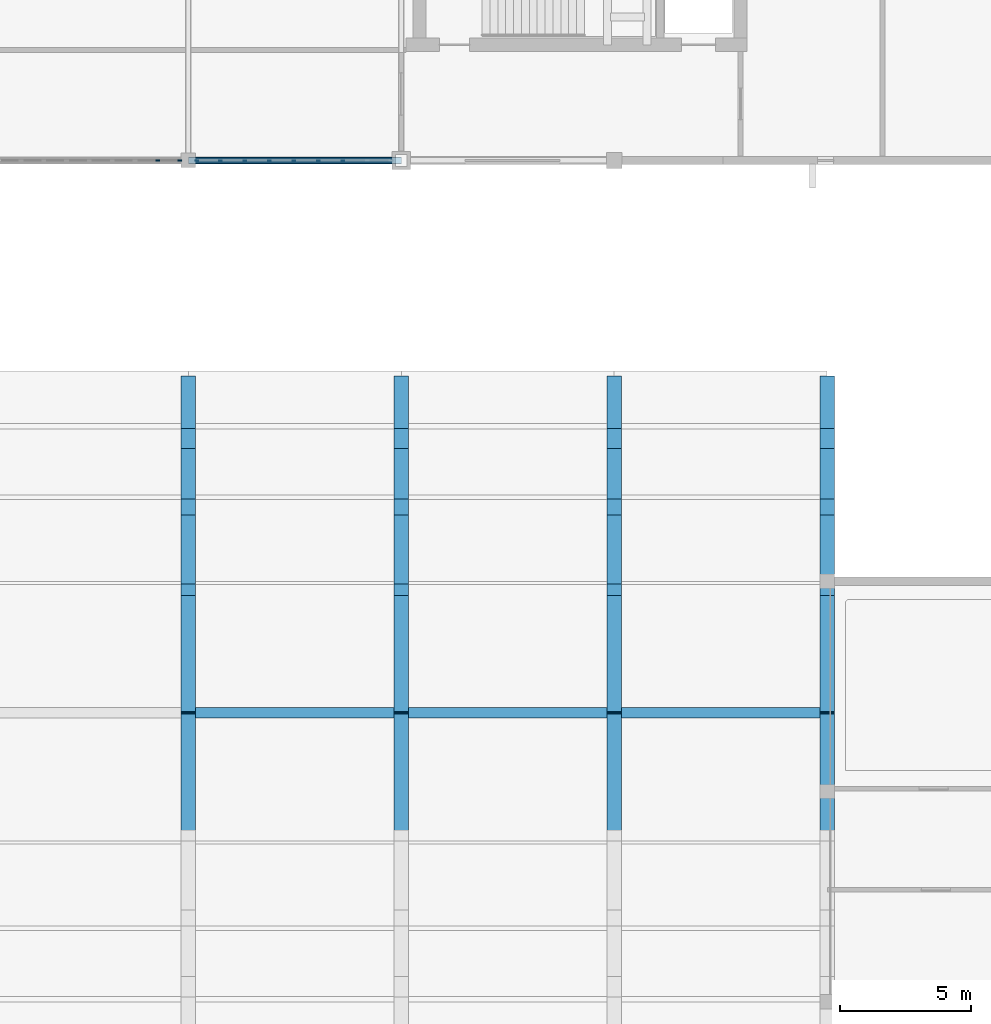
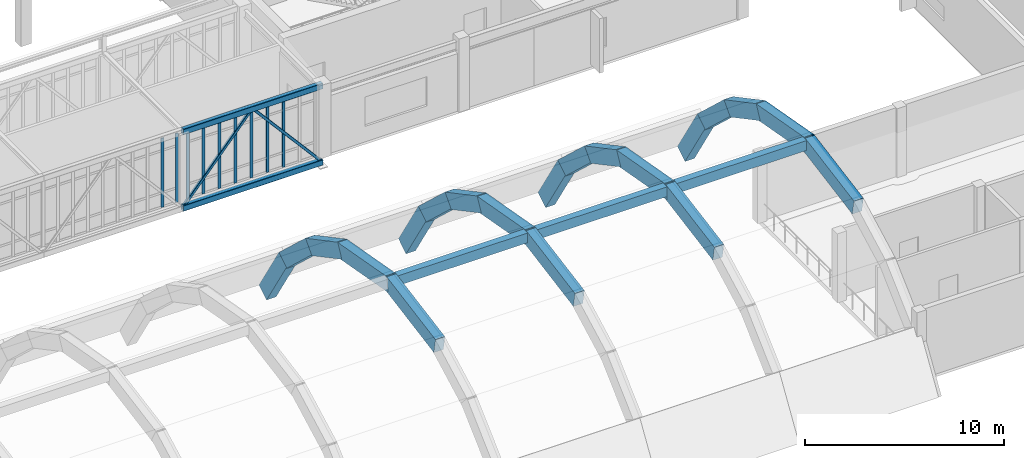
# One storey, part 8 of 67: 23 beams, 13 members, 2 elements without a shape of their own.
"""IFC4 building model written with IfcOpenShell, lengths in metres."""

import ifcopenshell
import ifcopenshell.guid

model = None  # the IFC model being written
_history = None  # IfcOwnerHistory: only IFC2X3 demands one
_inside = {}  # id of a spatial element -> (the spatial element, [elements in it])
_under = {}  # id of a project, library or spatial element -> (it, [spatial elements below it])
_declared = {}  # id of a project -> (the project, [libraries it declares])
_typed = {}  # id of a type object -> (the type object, [elements of that type])
_made_of = {}  # id of a material, layer set ... -> (it, [elements and type objects made of it])


def new_model(schema):
    """Start an empty IFC model of exactly this schema.

    Asked for "IFC4X3", IfcOpenShell would pick the latest addendum, in which some entities
    have other attributes; the version numbers below select the first issue.
    IFC2X3 requires an IfcOwnerHistory on every rooted entity: one is made here for all.
    """
    global model, _history
    if schema == "IFC4X3":
        model = ifcopenshell.file(schema_version=(4, 3, 0, 0))
    else:
        model = ifcopenshell.file(schema=schema)
    _inside.clear()
    _under.clear()
    _declared.clear()
    _typed.clear()
    _made_of.clear()
    _history = None
    if model.schema == "IFC2X3":
        org = make("IfcOrganization", Name="unknown")
        user = make(
            "IfcPersonAndOrganization",
            ThePerson=make("IfcPerson", FamilyName="unknown"),
            TheOrganization=org,
        )
        app = make(
            "IfcApplication",
            ApplicationDeveloper=org,
            Version="unknown",
            ApplicationFullName="unknown",
            ApplicationIdentifier="unknown",
        )
        _history = make(
            "IfcOwnerHistory",
            OwningUser=user,
            OwningApplication=app,
            ChangeAction="ADDED",
            CreationDate=0,
        )
    return model


def make(cls, **values):
    """One entity of the class cls with the attributes given. An attribute that is None is left unset."""
    return model.create_entity(
        cls, **{name: value for name, value in values.items() if value is not None}
    )


def rooted(cls, **values):
    """An entity with a GlobalId (a new one), such as an element, a storey or a relation."""
    return make(cls, GlobalId=ifcopenshell.guid.new(), OwnerHistory=_history, **values)


def si_unit(unit_type, name, prefix=None):
    """IfcSIUnit, for example si_unit("LENGTHUNIT", "METRE", prefix="MILLI")."""
    return make("IfcSIUnit", UnitType=unit_type, Prefix=prefix, Name=name)


def assignment(units):
    """IfcUnitAssignment: the units of a project."""
    return None if units is None else make("IfcUnitAssignment", Units=units)


def point(xyz):
    """IfcCartesianPoint."""
    return None if xyz is None else make("IfcCartesianPoint", Coordinates=xyz)


def direction(xyz):
    """IfcDirection."""
    return None if xyz is None else make("IfcDirection", DirectionRatios=xyz)


def frame(location, z_axis=None, x_axis=None):
    """IfcAxis2Placement3D, a coordinate frame: its origin and axes. An axis left out is left unset."""
    return make(
        "IfcAxis2Placement3D",
        Location=point(location),
        Axis=direction(z_axis),
        RefDirection=direction(x_axis),
    )


def frame_2d(location, x_axis=None):
    """IfcAxis2Placement2D, a coordinate frame in the plane: its origin and x axis."""
    return make(
        "IfcAxis2Placement2D", Location=point(location), RefDirection=direction(x_axis)
    )


def origin():
    """The frame at (0, 0, 0) with its axes left unset."""
    return frame((0.0, 0.0, 0.0))


def origin_2d():
    """The frame at (0, 0) in the plane with its x axis left unset."""
    return frame_2d((0.0, 0.0))


def place(relative_to, where):
    """IfcLocalPlacement: puts the frame where relative to a parent placement (None: the world)."""
    return make(
        "IfcLocalPlacement", PlacementRelTo=relative_to, RelativePlacement=where
    )


def context(
    kind, dimensions, precision=None, world=None, true_north=None, identifier=None
):
    """IfcGeometricRepresentationContext, for example the 3D "Model" context."""
    return make(
        "IfcGeometricRepresentationContext",
        ContextIdentifier=identifier,
        ContextType=kind,
        CoordinateSpaceDimension=dimensions,
        Precision=precision,
        WorldCoordinateSystem=world,
        TrueNorth=true_north,
    )


def subcontext(parent, identifier, kind, view, scale=None):
    """IfcGeometricRepresentationSubContext, for example "Body" below "Model"."""
    return make(
        "IfcGeometricRepresentationSubContext",
        ContextIdentifier=identifier,
        ContextType=kind,
        ParentContext=parent,
        TargetScale=scale,
        TargetView=view,
    )


def project(units=None, contexts=None):
    """IfcProject with its units and contexts."""
    return rooted(
        "IfcProject",
        Name="project",
        RepresentationContexts=contexts,
        UnitsInContext=assignment(units),
    )


def spatial(cls, under=None, at=None, **own):
    """A site, building, storey or space (cls), placed at a placement, below another one or the project."""
    s = rooted(cls, ObjectPlacement=at, **own)
    if under is not None:
        _under.setdefault(under.id(), (under, []))[1].append(s)
    return s


def profile(cls, at=None, kind="AREA", **sizes):
    """A parametric profile (cls). Its sizes go by their IFC names, for example OverallWidth=200.0."""
    return make(cls, ProfileType=kind, Position=at, **sizes)


def rectangle(**sizes):
    """IfcRectangleProfileDef."""
    return profile("IfcRectangleProfileDef", **sizes)


def hollow_rectangle(**sizes):
    """IfcRectangleHollowProfileDef."""
    return profile("IfcRectangleHollowProfileDef", **sizes)


def extrude(swept, where, along, depth):
    """IfcExtrudedAreaSolid: the profile swept, set in the frame where, extruded along a direction by depth."""
    return make(
        "IfcExtrudedAreaSolid",
        SweptArea=swept,
        Position=where,
        ExtrudedDirection=direction(along),
        Depth=depth,
    )


def shape(context_of_items, identifier, shape_type, items):
    """IfcShapeRepresentation: the items that make up one representation, for example the "Body"."""
    return make(
        "IfcShapeRepresentation",
        ContextOfItems=context_of_items,
        RepresentationIdentifier=identifier,
        RepresentationType=shape_type,
        Items=items,
    )


def material(Name=None, Category=None):
    """IfcMaterial."""
    return make("IfcMaterial", Name=Name, Category=Category)


def material_profile(
    of_material, cross_section, Name=None, Category=None, Priority=None
):
    """IfcMaterialProfile: a cross section and its material."""
    return make(
        "IfcMaterialProfile",
        Name=Name,
        Material=of_material,
        Profile=cross_section,
        Priority=Priority,
        Category=Category,
    )


def profile_set(profiles, Name=None, composite=None):
    """IfcMaterialProfileSet."""
    return make(
        "IfcMaterialProfileSet",
        Name=Name,
        MaterialProfiles=profiles,
        CompositeProfile=composite,
    )


def made_of(thing, what):
    """Note that an element or type object is made of a material, layer set ...; save() writes the relation."""
    if what is not None:
        _made_of.setdefault(what.id(), (what, []))[1].append(thing)
    return thing


def type_object(cls, material=None, **own):
    """A type object (cls), such as IfcWallType, which elements share."""
    return made_of(rooted(cls, **own), material)


def element(
    cls,
    number,
    at=None,
    inside=None,
    cuts=None,
    type_object=None,
    material=None,
    context=None,
    identifier="Body",
    shape_type=None,
    held_by="IfcProductDefinitionShape",
    body=None,
    shapes=None,
    **own,
):
    """One element of the class cls, such as IfcWall. Its Tag is "e" and its number.

    at: its placement. inside: the storey or other place that contains it. cuts: it is an
    opening in that element (IfcRelVoidsElement). A single representation is given by context,
    identifier, shape_type and body (its items); several are given by shapes. held_by: the class
    of the entity that holds the representations. save() writes the other relations.
    """
    e = rooted(cls, Tag="e%d" % number, ObjectPlacement=at, **own)
    if body is not None:
        shapes = [shape(context, identifier, shape_type, body)]
    if shapes is not None:
        e.Representation = make(held_by, Representations=shapes)
    if inside is not None:
        _inside.setdefault(inside.id(), (inside, []))[1].append(e)
    if cuts is not None:
        rooted(
            "IfcRelVoidsElement", RelatingBuildingElement=cuts, RelatedOpeningElement=e
        )
    if type_object is not None:
        _typed.setdefault(type_object.id(), (type_object, []))[1].append(e)
    return made_of(e, material)


def aggregate(whole, parts):
    """IfcRelAggregates: a whole, such as a stair, and the parts it consists of."""
    return rooted("IfcRelAggregates", RelatingObject=whole, RelatedObjects=parts)


def save(model, path):
    """Write the relations noted so far, then the file.

    IfcRelAggregates (storeys below a building ...), IfcRelContainedInSpatialStructure (elements
    in a storey), IfcRelDefinesByType, IfcRelAssociatesMaterial and IfcRelDeclares: one each for
    every whole, place, type object, material and project.
    """
    for whole, parts in _under.values():
        aggregate(whole, parts)
    for where, things in _inside.values():
        rooted(
            "IfcRelContainedInSpatialStructure",
            RelatedElements=things,
            RelatingStructure=where,
        )
    for kind, things in _typed.values():
        rooted("IfcRelDefinesByType", RelatedObjects=things, RelatingType=kind)
    for what, things in _made_of.values():
        rooted("IfcRelAssociatesMaterial", RelatedObjects=things, RelatingMaterial=what)
    for by, libraries in _declared.values():
        rooted("IfcRelDeclares", RelatingContext=by, RelatedDefinitions=libraries)
    model.write(path)


model = new_model("IFC4")

# Units and contexts
model_context = context("Model", 3, precision=1e-05, world=origin(), true_north=direction((0.0, 1.0)))
body_context = subcontext(model_context, "Body", "Model", "MODEL_VIEW")
ifc_project = project(units=[si_unit("LENGTHUNIT", "METRE"), si_unit("AREAUNIT", "SQUARE_METRE"), si_unit("VOLUMEUNIT", "CUBIC_METRE"), si_unit("PLANEANGLEUNIT", "RADIAN"), si_unit("MASSUNIT", "GRAM", prefix="KILO")], contexts=[model_context])

# Site, building, storey
site_placement = place(None, origin())
site = spatial("IfcSite", under=ifc_project, at=site_placement, CompositionType="ELEMENT")
building_placement = place(site_placement, origin())
building = spatial("IfcBuilding", under=site, at=building_placement, Name="Tarnveldt Square Police Headquarters", CompositionType="ELEMENT")
storey_placement = place(building_placement, frame((0.0, 0.0, 10.199951171875)))
storey = spatial("IfcBuildingStorey", under=building, at=storey_placement, Name="L02", CompositionType="ELEMENT", Elevation=10.199951171875)

# Beams
ifc_material_1 = material(Name="Concrete 40 MPa", Category="concrete")
ifc_material_profile_1 = material_profile(ifc_material_1, rectangle(XDim=0.39990234375, YDim=0.60009765625, at=origin_2d()), Name="RC-B400x600")
ifc_profile_set_1 = profile_set([ifc_material_profile_1], Name="Concrete 40 MPa")
beam_type_1 = type_object("IfcBeamType", Name="BM-RC400x600", PredefinedType="BEAM", material=ifc_profile_set_1)
beam_1_placement = place(storey_placement, frame((97.199951171875, 35.0, 7.81005859375), z_axis=(1.0, 0.0, 0.0), x_axis=(0.0, 1.0, 0.0)))
element("IfcBeam", 1, at=beam_1_placement, inside=storey, type_object=beam_type_1, Name="Public Entrance Hall Barrel Vault Crown Ring Beam 5", PredefinedType="BEAM", context=body_context, shape_type="SweptSolid", body=[
    extrude(rectangle(XDim=0.39990234375, YDim=0.60009765625, at=origin_2d()), origin(), (0.0, 0.0, 1.0), 8.10009765625),
])
beam_2_placement = place(storey_placement, frame((105.300048828125, 35.0, 7.81005859375), z_axis=(1.0, 0.0, 0.0), x_axis=(0.0, 1.0, 0.0)))
element("IfcBeam", 2, at=beam_2_placement, inside=storey, type_object=beam_type_1, Name="Public Entrance Hall Barrel Vault Crown Ring Beam 6", PredefinedType="BEAM", context=body_context, shape_type="SweptSolid", body=[
    extrude(rectangle(XDim=0.39990234375, YDim=0.60009765625, at=origin_2d()), origin(), (0.0, 0.0, 1.0), 8.099853515625),
])
beam_3_placement = place(storey_placement, frame((113.39990234375, 35.0, 7.81005859375), z_axis=(1.0, 0.0, 0.0), x_axis=(0.0, 1.0, 0.0)))
element("IfcBeam", 3, at=beam_3_placement, inside=storey, type_object=beam_type_1, Name="Public Entrance Hall Barrel Vault Crown Ring Beam 7", PredefinedType="BEAM", context=body_context, shape_type="SweptSolid", body=[
    extrude(rectangle(XDim=0.39990234375, YDim=0.60009765625, at=origin_2d()), origin(), (0.0, 0.0, 1.0), 8.10009765625),
])
ifc_material_profile_2 = material_profile(ifc_material_1, rectangle(XDim=0.550048828125, YDim=0.89990234375, at=origin_2d()), Name="RC-RIB550x900")
ifc_profile_set_2 = profile_set([ifc_material_profile_2], Name="Concrete 40 MPa")
beam_type_2 = type_object("IfcBeamType", Name="BM-RIB550x900", PredefinedType="USERDEFINED", material=ifc_profile_set_2)
for number, where, z_axis, x_axis, name in (
    (4, (97.199951171875, 30.127197265625, 6.827880859375), (0.0, 0.984039573489, 0.177949762031), (-1.0, 0.0, 0.0), "Public Entrance Hall Exposed Arch Rib 5.4"),
    (5, (97.199951171875, 34.87890625, 7.73095703125), (0.0, 0.984039573489, -0.177949762031), (-1.0, 0.0, 0.0), "Public Entrance Hall Exposed Arch Rib 5.5"),
):
    element("IfcBeam", number, at=place(storey_placement, frame(where, z_axis=z_axis, x_axis=x_axis)), inside=storey, type_object=beam_type_2, Name=name, ObjectType="ARCH RIB", PredefinedType="USERDEFINED", context=body_context, shape_type="SweptSolid", body=[
        extrude(rectangle(XDim=0.550048828125, YDim=0.89990234375, at=origin_2d()), origin(), (0.0, 0.0, 1.0), 5.074951171875),
    ])
beam_4_placement = place(storey_placement, frame((97.199951171875, 39.674560546875, 6.896728515625), z_axis=(0.0, 0.882931392206, -0.469502030514), x_axis=(-1.0, 0.0, 0.0)))
element("IfcBeam", 6, at=beam_4_placement, inside=storey, type_object=beam_type_2, Name="Public Entrance Hall Exposed Arch Rib 5.6", ObjectType="ARCH RIB", PredefinedType="USERDEFINED", context=body_context, shape_type="SweptSolid", body=[
    extrude(rectangle(XDim=0.550048828125, YDim=0.89990234375, at=origin_2d()), origin(), (0.0, 0.0, 1.0), 3.72265625),
])
beam_5_placement = place(storey_placement, frame((97.199951171875, 42.81689453125, 5.252197265625), z_axis=(0.0, 0.731336551038, -0.682016751345), x_axis=(-1.0, 0.0, 0.0)))
element("IfcBeam", 7, at=beam_5_placement, inside=storey, type_object=beam_type_2, Name="Public Entrance Hall Exposed Arch Rib 5.7", ObjectType="ARCH RIB", PredefinedType="USERDEFINED", context=body_context, shape_type="SweptSolid", body=[
    extrude(rectangle(XDim=0.550048828125, YDim=0.89990234375, at=origin_2d()), origin(), (0.0, 0.0, 1.0), 3.722412109375),
])
beam_6_placement = place(storey_placement, frame((97.199951171875, 45.425537109375, 2.8515625), z_axis=(0.0, 0.528169479529, -0.849138976196), x_axis=(-1.0, 0.0, 0.0)))
element("IfcBeam", 8, at=beam_6_placement, inside=storey, type_object=beam_type_2, Name="Public Entrance Hall Exposed Arch Rib 5.8", ObjectType="ARCH RIB", PredefinedType="USERDEFINED", context=body_context, shape_type="SweptSolid", body=[
    extrude(rectangle(XDim=0.550048828125, YDim=0.89990234375, at=origin_2d()), origin(), (0.0, 0.0, 1.0), 3.781005859375),
])
for number, where, z_axis, x_axis, name in (
    (9, (105.300048828125, 30.127197265625, 6.827880859375), (0.0, 0.984039573489, 0.177949762031), (-1.0, 0.0, 0.0), "Public Entrance Hall Exposed Arch Rib 6.4"),
    (10, (105.300048828125, 34.87890625, 7.73095703125), (0.0, 0.984039573489, -0.177949762031), (-1.0, 0.0, 0.0), "Public Entrance Hall Exposed Arch Rib 6.5"),
):
    element("IfcBeam", number, at=place(storey_placement, frame(where, z_axis=z_axis, x_axis=x_axis)), inside=storey, type_object=beam_type_2, Name=name, ObjectType="ARCH RIB", PredefinedType="USERDEFINED", context=body_context, shape_type="SweptSolid", body=[
        extrude(rectangle(XDim=0.550048828125, YDim=0.89990234375, at=origin_2d()), origin(), (0.0, 0.0, 1.0), 5.074951171875),
    ])
beam_7_placement = place(storey_placement, frame((105.300048828125, 39.674560546875, 6.896728515625), z_axis=(0.0, 0.882931392206, -0.469502030514), x_axis=(-1.0, 0.0, 0.0)))
element("IfcBeam", 11, at=beam_7_placement, inside=storey, type_object=beam_type_2, Name="Public Entrance Hall Exposed Arch Rib 6.6", ObjectType="ARCH RIB", PredefinedType="USERDEFINED", context=body_context, shape_type="SweptSolid", body=[
    extrude(rectangle(XDim=0.550048828125, YDim=0.89990234375, at=origin_2d()), origin(), (0.0, 0.0, 1.0), 3.72265625),
])
beam_8_placement = place(storey_placement, frame((105.300048828125, 42.81689453125, 5.252197265625), z_axis=(0.0, 0.731336551038, -0.682016751345), x_axis=(-1.0, 0.0, 0.0)))
element("IfcBeam", 12, at=beam_8_placement, inside=storey, type_object=beam_type_2, Name="Public Entrance Hall Exposed Arch Rib 6.7", ObjectType="ARCH RIB", PredefinedType="USERDEFINED", context=body_context, shape_type="SweptSolid", body=[
    extrude(rectangle(XDim=0.550048828125, YDim=0.89990234375, at=origin_2d()), origin(), (0.0, 0.0, 1.0), 3.722412109375),
])
beam_9_placement = place(storey_placement, frame((105.300048828125, 45.425537109375, 2.8515625), z_axis=(0.0, 0.528169479529, -0.849138976196), x_axis=(-1.0, 0.0, 0.0)))
element("IfcBeam", 13, at=beam_9_placement, inside=storey, type_object=beam_type_2, Name="Public Entrance Hall Exposed Arch Rib 6.8", ObjectType="ARCH RIB", PredefinedType="USERDEFINED", context=body_context, shape_type="SweptSolid", body=[
    extrude(rectangle(XDim=0.550048828125, YDim=0.89990234375, at=origin_2d()), origin(), (0.0, 0.0, 1.0), 3.781005859375),
])
for number, where, z_axis, x_axis, name in (
    (14, (113.39990234375, 30.127197265625, 6.827880859375), (0.0, 0.984039573489, 0.177949762031), (-1.0, 0.0, 0.0), "Public Entrance Hall Exposed Arch Rib 7.4"),
    (15, (113.39990234375, 34.87890625, 7.73095703125), (0.0, 0.984039573489, -0.177949762031), (-1.0, 0.0, 0.0), "Public Entrance Hall Exposed Arch Rib 7.5"),
):
    element("IfcBeam", number, at=place(storey_placement, frame(where, z_axis=z_axis, x_axis=x_axis)), inside=storey, type_object=beam_type_2, Name=name, ObjectType="ARCH RIB", PredefinedType="USERDEFINED", context=body_context, shape_type="SweptSolid", body=[
        extrude(rectangle(XDim=0.550048828125, YDim=0.89990234375, at=origin_2d()), origin(), (0.0, 0.0, 1.0), 5.074951171875),
    ])
beam_10_placement = place(storey_placement, frame((113.39990234375, 39.674560546875, 6.896728515625), z_axis=(0.0, 0.882931392206, -0.469502030514), x_axis=(-1.0, 0.0, 0.0)))
element("IfcBeam", 16, at=beam_10_placement, inside=storey, type_object=beam_type_2, Name="Public Entrance Hall Exposed Arch Rib 7.6", ObjectType="ARCH RIB", PredefinedType="USERDEFINED", context=body_context, shape_type="SweptSolid", body=[
    extrude(rectangle(XDim=0.550048828125, YDim=0.89990234375, at=origin_2d()), origin(), (0.0, 0.0, 1.0), 3.72265625),
])
beam_11_placement = place(storey_placement, frame((113.39990234375, 42.81689453125, 5.252197265625), z_axis=(0.0, 0.731336551038, -0.682016751345), x_axis=(-1.0, 0.0, 0.0)))
element("IfcBeam", 17, at=beam_11_placement, inside=storey, type_object=beam_type_2, Name="Public Entrance Hall Exposed Arch Rib 7.7", ObjectType="ARCH RIB", PredefinedType="USERDEFINED", context=body_context, shape_type="SweptSolid", body=[
    extrude(rectangle(XDim=0.550048828125, YDim=0.89990234375, at=origin_2d()), origin(), (0.0, 0.0, 1.0), 3.722412109375),
])
beam_12_placement = place(storey_placement, frame((113.39990234375, 45.425537109375, 2.8515625), z_axis=(0.0, 0.528169479529, -0.849138976196), x_axis=(-1.0, 0.0, 0.0)))
element("IfcBeam", 18, at=beam_12_placement, inside=storey, type_object=beam_type_2, Name="Public Entrance Hall Exposed Arch Rib 7.8", ObjectType="ARCH RIB", PredefinedType="USERDEFINED", context=body_context, shape_type="SweptSolid", body=[
    extrude(rectangle(XDim=0.550048828125, YDim=0.89990234375, at=origin_2d()), origin(), (0.0, 0.0, 1.0), 3.781005859375),
])
for number, where, z_axis, x_axis, name in (
    (19, (121.5, 30.127197265625, 6.827880859375), (0.0, 0.984039573489, 0.177949762031), (-1.0, 0.0, 0.0), "Public Entrance Hall Exposed Arch Rib 8.4"),
    (20, (121.5, 34.87890625, 7.73095703125), (0.0, 0.984039573489, -0.177949762031), (-1.0, 0.0, 0.0), "Public Entrance Hall Exposed Arch Rib 8.5"),
):
    element("IfcBeam", number, at=place(storey_placement, frame(where, z_axis=z_axis, x_axis=x_axis)), inside=storey, type_object=beam_type_2, Name=name, ObjectType="ARCH RIB", PredefinedType="USERDEFINED", context=body_context, shape_type="SweptSolid", body=[
        extrude(rectangle(XDim=0.550048828125, YDim=0.89990234375, at=origin_2d()), origin(), (0.0, 0.0, 1.0), 5.074951171875),
    ])
beam_13_placement = place(storey_placement, frame((121.5, 39.674560546875, 6.896728515625), z_axis=(0.0, 0.882931392206, -0.469502030514), x_axis=(-1.0, 0.0, 0.0)))
element("IfcBeam", 21, at=beam_13_placement, inside=storey, type_object=beam_type_2, Name="Public Entrance Hall Exposed Arch Rib 8.6", ObjectType="ARCH RIB", PredefinedType="USERDEFINED", context=body_context, shape_type="SweptSolid", body=[
    extrude(rectangle(XDim=0.550048828125, YDim=0.89990234375, at=origin_2d()), origin(), (0.0, 0.0, 1.0), 3.72265625),
])
beam_14_placement = place(storey_placement, frame((121.5, 42.81689453125, 5.252197265625), z_axis=(0.0, 0.731336551038, -0.682016751345), x_axis=(-1.0, 0.0, 0.0)))
element("IfcBeam", 22, at=beam_14_placement, inside=storey, type_object=beam_type_2, Name="Public Entrance Hall Exposed Arch Rib 8.7", ObjectType="ARCH RIB", PredefinedType="USERDEFINED", context=body_context, shape_type="SweptSolid", body=[
    extrude(rectangle(XDim=0.550048828125, YDim=0.89990234375, at=origin_2d()), origin(), (0.0, 0.0, 1.0), 3.722412109375),
])
beam_15_placement = place(storey_placement, frame((121.5, 45.425537109375, 2.8515625), z_axis=(0.0, 0.528169479529, -0.849138976196), x_axis=(-1.0, 0.0, 0.0)))
element("IfcBeam", 23, at=beam_15_placement, inside=storey, type_object=beam_type_2, Name="Public Entrance Hall Exposed Arch Rib 8.8", ObjectType="ARCH RIB", PredefinedType="USERDEFINED", context=body_context, shape_type="SweptSolid", body=[
    extrude(rectangle(XDim=0.550048828125, YDim=0.89990234375, at=origin_2d()), origin(), (0.0, 0.0, 1.0), 3.781005859375),
])

# Curtain wall, members
ifc_material_2 = material(Name="Triple-glazed low-e laminated vision glass", Category="glass")
curtain_wall_type_1 = type_object("IfcCurtainWallType", Name="CW-SB-781x424", PredefinedType="USERDEFINED", material=ifc_material_2)
curtain_wall_1_placement = place(storey_placement, origin())
curtain_wall_1 = element("IfcCurtainWall", 24, at=curtain_wall_1_placement, inside=storey, type_object=curtain_wall_type_1, Name="L02 Curtain Wall CW-L02-143", ObjectType="GLAZED CURTAIN WALL", PredefinedType="USERDEFINED")
ifc_material_3 = material(Name="Thermally broken anodised aluminium 6063-T6", Category="aluminium")
ifc_material_profile_3 = material_profile(ifc_material_3, rectangle(XDim=0.06494140625, YDim=0.159912109375, at=origin_2d()), Name="CW-M65x160")
ifc_profile_set_3 = profile_set([ifc_material_profile_3], Name="Thermally broken anodised aluminium 6063-T6")
member_type_1 = type_object("IfcMemberType", Name="CWM-65x160", PredefinedType="MULLION", material=ifc_profile_set_3)
member_1_placement = place(storey_placement, frame((96.042236328125, 56.0, 0.0), z_axis=(0.0, 0.0, 1.0), x_axis=(0.0, 1.0, 0.0)))
member_1 = element("IfcMember", 25, at=member_1_placement, type_object=member_type_1, Name="CW-SB87 mullion 9", PredefinedType="MULLION", context=body_context, shape_type="SweptSolid", body=[
    extrude(rectangle(XDim=0.06494140625, YDim=0.159912109375, at=origin_2d()), origin(), (0.0, 0.0, 1.0), 4.239990234375),
])
member_2_placement = place(storey_placement, frame((96.87744140625, 56.0, 0.0), z_axis=(0.0, 0.0, 1.0), x_axis=(0.0, 1.0, 0.0)))
member_2 = element("IfcMember", 26, at=member_2_placement, type_object=member_type_1, Name="CW-SB87 mullion 10", PredefinedType="MULLION", context=body_context, shape_type="SweptSolid", body=[
    extrude(rectangle(XDim=0.06494140625, YDim=0.159912109375, at=origin_2d()), origin(), (0.0, 0.0, 1.0), 4.239990234375),
])
aggregate(curtain_wall_1, [member_1, member_2])

curtain_wall_type_2 = type_object("IfcCurtainWallType", Name="CW-SB-745x424", PredefinedType="USERDEFINED", material=ifc_material_2)
curtain_wall_2_placement = place(storey_placement, origin())
curtain_wall_2 = element("IfcCurtainWall", 27, at=curtain_wall_2_placement, inside=storey, type_object=curtain_wall_type_2, Name="L02 Curtain Wall CW-L02-144", ObjectType="GLAZED CURTAIN WALL", PredefinedType="USERDEFINED")
member_3_placement = place(storey_placement, frame((97.5224609375, 56.0, 0.0), z_axis=(0.0, 0.0, 1.0), x_axis=(0.0, 1.0, 0.0)))
member_3 = element("IfcMember", 28, at=member_3_placement, type_object=member_type_1, Name="CW-SB88 mullion 1", PredefinedType="MULLION", context=body_context, shape_type="SweptSolid", body=[
    extrude(rectangle(XDim=0.06494140625, YDim=0.159912109375, at=origin_2d()), origin(), (0.0, 0.0, 1.0), 4.239990234375),
])
member_4_placement = place(storey_placement, frame((98.420654296875, 56.0, 0.0), z_axis=(0.0, 0.0, 1.0), x_axis=(0.0, 1.0, 0.0)))
member_4 = element("IfcMember", 29, at=member_4_placement, type_object=member_type_1, Name="CW-SB88 mullion 2", PredefinedType="MULLION", context=body_context, shape_type="SweptSolid", body=[
    extrude(rectangle(XDim=0.06494140625, YDim=0.159912109375, at=origin_2d()), origin(), (0.0, 0.0, 1.0), 4.239990234375),
])
member_5_placement = place(storey_placement, frame((99.351318359375, 56.0, 0.0), z_axis=(0.0, 0.0, 1.0), x_axis=(0.0, 1.0, 0.0)))
member_5 = element("IfcMember", 30, at=member_5_placement, type_object=member_type_1, Name="CW-SB88 mullion 3", PredefinedType="MULLION", context=body_context, shape_type="SweptSolid", body=[
    extrude(rectangle(XDim=0.06494140625, YDim=0.159912109375, at=origin_2d()), origin(), (0.0, 0.0, 1.0), 4.239990234375),
])
member_6_placement = place(storey_placement, frame((100.281982421875, 56.0, 0.0), z_axis=(0.0, 0.0, 1.0), x_axis=(0.0, 1.0, 0.0)))
member_6 = element("IfcMember", 31, at=member_6_placement, type_object=member_type_1, Name="CW-SB88 mullion 4", PredefinedType="MULLION", context=body_context, shape_type="SweptSolid", body=[
    extrude(rectangle(XDim=0.06494140625, YDim=0.159912109375, at=origin_2d()), origin(), (0.0, 0.0, 1.0), 4.239990234375),
])
member_7_placement = place(storey_placement, frame((101.21240234375, 56.0, 0.0), z_axis=(0.0, 0.0, 1.0), x_axis=(0.0, 1.0, 0.0)))
member_7 = element("IfcMember", 32, at=member_7_placement, type_object=member_type_1, Name="CW-SB88 mullion 5", PredefinedType="MULLION", context=body_context, shape_type="SweptSolid", body=[
    extrude(rectangle(XDim=0.06494140625, YDim=0.159912109375, at=origin_2d()), origin(), (0.0, 0.0, 1.0), 4.239990234375),
])
member_8_placement = place(storey_placement, frame((102.14306640625, 56.0, 0.0), z_axis=(0.0, 0.0, 1.0), x_axis=(0.0, 1.0, 0.0)))
member_8 = element("IfcMember", 33, at=member_8_placement, type_object=member_type_1, Name="CW-SB88 mullion 6", PredefinedType="MULLION", context=body_context, shape_type="SweptSolid", body=[
    extrude(rectangle(XDim=0.06494140625, YDim=0.159912109375, at=origin_2d()), origin(), (0.0, 0.0, 1.0), 4.239990234375),
])
member_9_placement = place(storey_placement, frame((103.07373046875, 56.0, 0.0), z_axis=(0.0, 0.0, 1.0), x_axis=(0.0, 1.0, 0.0)))
member_9 = element("IfcMember", 34, at=member_9_placement, type_object=member_type_1, Name="CW-SB88 mullion 7", PredefinedType="MULLION", context=body_context, shape_type="SweptSolid", body=[
    extrude(rectangle(XDim=0.06494140625, YDim=0.159912109375, at=origin_2d()), origin(), (0.0, 0.0, 1.0), 4.239990234375),
])
aggregate(curtain_wall_2, [member_3, member_4, member_5, member_6, member_7, member_8, member_9])

# Members
ifc_material_4 = material(Name="Steel 350W", Category="steel")
ifc_material_profile_4 = material_profile(ifc_material_4, hollow_rectangle(XDim=0.25390625, YDim=0.355712890625, WallThickness=0.015869140625, InnerFilletRadius=0.015869140625, OuterFilletRadius=0.03173828125, at=origin_2d()), Name="HSS356x254x16")
ifc_profile_set_4 = profile_set([ifc_material_profile_4], Name="Steel 350W")
member_type_2 = type_object("IfcMemberType", Name="MEM-SB-CHORD", PredefinedType="CHORD", material=ifc_profile_set_4)
for number, where, z_axis, x_axis, name in (
    (35, (97.199951171875, 56.0, -0.43994140625), (1.0, 0.0, 0.0), (0.0, 1.0, 0.0), "Skybridge SBS Bottom Chord S7"),
    (36, (97.199951171875, 56.0, 4.25), (1.0, 0.0, 0.0), (0.0, 1.0, 0.0), "Skybridge SBS Top Chord S7"),
):
    element("IfcMember", number, at=place(storey_placement, frame(where, z_axis=z_axis, x_axis=x_axis)), inside=storey, type_object=member_type_2, Name=name, PredefinedType="CHORD", context=body_context, shape_type="SweptSolid", body=[
        extrude(hollow_rectangle(XDim=0.25390625, YDim=0.355712890625, WallThickness=0.015869140625, InnerFilletRadius=0.015869140625, OuterFilletRadius=0.03173828125, at=origin_2d()), origin(), (0.0, 0.0, 1.0), 8.10009765625),
    ])
ifc_material_profile_5 = material_profile(ifc_material_4, hollow_rectangle(XDim=0.15234375, YDim=0.15234375, WallThickness=0.009521484375, InnerFilletRadius=0.009521484375, OuterFilletRadius=0.01904296875, at=origin_2d()), Name="HSS152x152x9.5")
ifc_profile_set_5 = profile_set([ifc_material_profile_5], Name="Steel 350W")
member_type_3 = type_object("IfcMemberType", Name="MEM-SB-WEB", PredefinedType="BRACE", material=ifc_profile_set_5)
for number, where, z_axis, x_axis, name in (
    (37, (97.199951171875, 56.0, -0.43994140625), (0.653587045151, 0.0, 0.756851355558), (0.0, 1.0, 0.0), "Skybridge SBS Web A7"),
    (38, (105.300048828125, 56.0, -0.43994140625), (-0.653587045151, 0.0, 0.756851355558), (0.0, -1.0, 0.0), "Skybridge SBS Web B7"),
):
    element("IfcMember", number, at=place(storey_placement, frame(where, z_axis=z_axis, x_axis=x_axis)), inside=storey, type_object=member_type_3, Name=name, PredefinedType="BRACE", context=body_context, shape_type="SweptSolid", body=[
        extrude(hollow_rectangle(XDim=0.15234375, YDim=0.15234375, WallThickness=0.009521484375, InnerFilletRadius=0.009521484375, OuterFilletRadius=0.01904296875, at=origin_2d()), origin(), (0.0, 0.0, 1.0), 6.196533203125),
    ])

save(model, "model.ifc")
